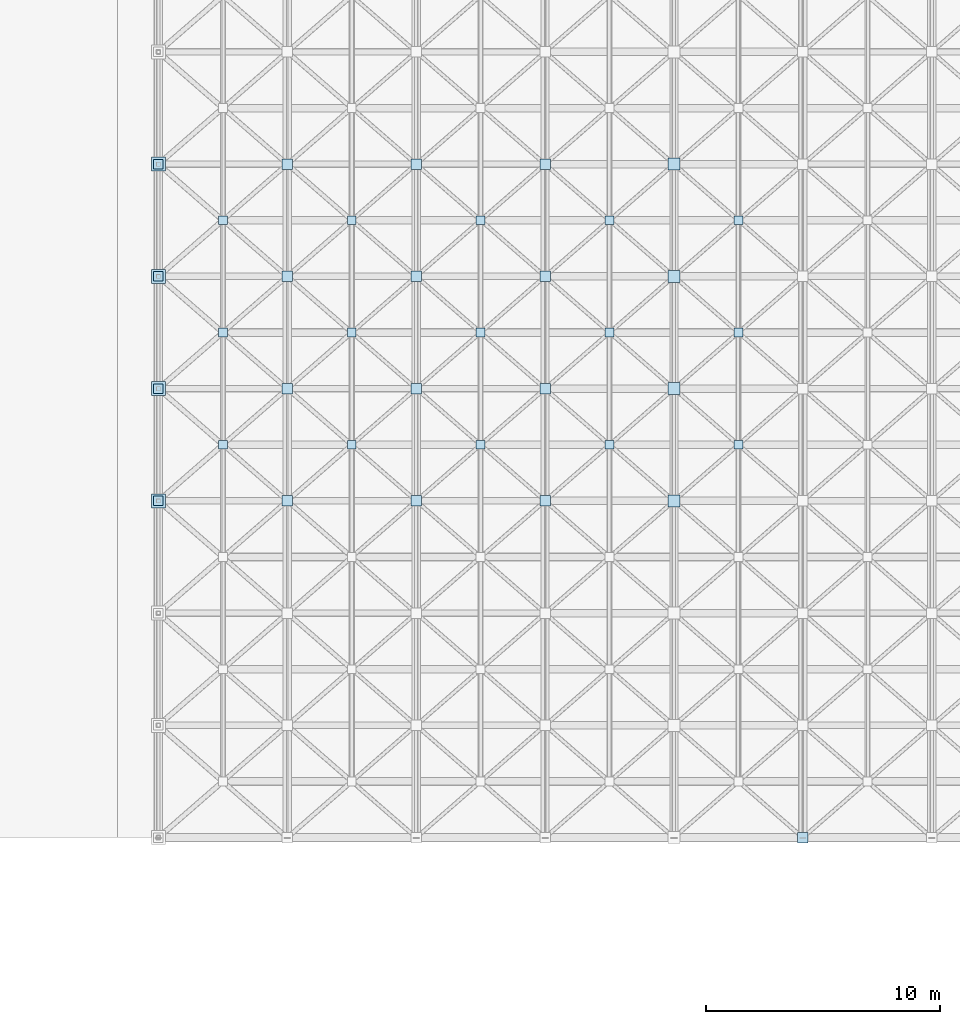
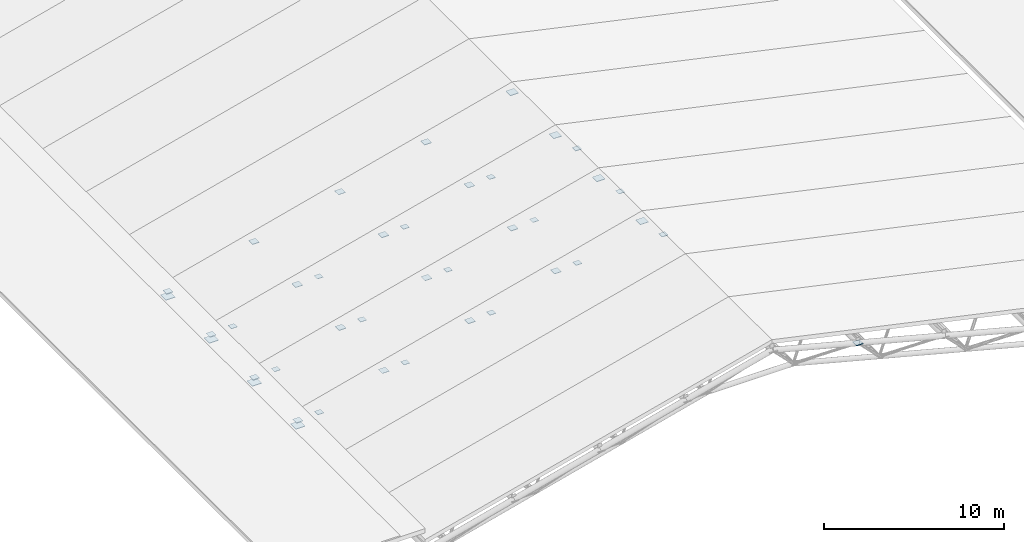
# One storey, part 45 of 60: 40 plates.
"""IFC4 building model written with IfcOpenShell, lengths in metres."""

from ifc_helpers import new_model, si_unit, direction, frame, origin, origin_2d, place, context, subcontext, project, spatial, rectangle, extrude, material, type_object, element, save


model = new_model("IFC4")

# Units and contexts
model_context = context("Model", 3, precision=1e-05, world=origin(), true_north=direction((0.0, 1.0)))
body_context = subcontext(model_context, "Body", "Model", "MODEL_VIEW")
ifc_project = project(units=[si_unit("LENGTHUNIT", "METRE"), si_unit("AREAUNIT", "SQUARE_METRE"), si_unit("VOLUMEUNIT", "CUBIC_METRE"), si_unit("PLANEANGLEUNIT", "RADIAN"), si_unit("MASSUNIT", "GRAM", prefix="KILO")], contexts=[model_context])

# Site, building, storey
site_placement = place(None, origin())
site = spatial("IfcSite", under=ifc_project, at=site_placement, CompositionType="ELEMENT")
building_placement = place(site_placement, origin())
building = spatial("IfcBuilding", under=site, at=building_placement, Name="Nakhvara Creek Congress Hotel", CompositionType="ELEMENT")
storey_placement = place(building_placement, frame((0.0, 0.0, 54.60009765625)))
storey = spatial("IfcBuildingStorey", under=building, at=storey_placement, Name="RL1", CompositionType="ELEMENT", Elevation=54.60009765625)

# Plates
ifc_material = material(Name="Steel S355J2", Category="steel")
plate_type_1 = type_object("IfcPlateType", Name="PLT-BASE-600X600X35", PredefinedType="USERDEFINED", material=ifc_material)
for number, where, z_axis, x_axis, name in (
    (1, (9.14990234375, 48.0, -35.39990234375), (0.0, 0.0, 1.0), (1.0, 0.0, 0.0), "Space-Frame Bearing Shoe SN04-028"),
    (2, (9.14990234375, 52.800048828125, -35.39990234375), (0.0, 0.0, 1.0), (1.0, 0.0, 0.0), "Space-Frame Bearing Shoe SN04-037"),
    (3, (9.14990234375, 57.60009765625, -35.39990234375), (0.0, 0.0, 1.0), (1.0, 0.0, 0.0), "Space-Frame Bearing Shoe SN04-046"),
    (4, (9.14990234375, 62.39990234375, -35.39990234375), (0.0, 0.0, 1.0), (1.0, 0.0, 0.0), "Space-Frame Bearing Shoe SN04-055"),
):
    element("IfcPlate", number, at=place(storey_placement, frame(where, z_axis=z_axis, x_axis=x_axis)), inside=storey, type_object=plate_type_1, Name=name, ObjectType="GUSSET_PLATE", PredefinedType="USERDEFINED", context=body_context, shape_type="SweptSolid", body=[
        extrude(rectangle(XDim=0.60009765625, YDim=0.60009765625, at=origin_2d()), origin(), (0.0, 0.0, 1.0), 0.034912109375),
    ])
plate_type_2 = type_object("IfcPlateType", Name="PLT-NODE-380X380X24", PredefinedType="USERDEFINED", material=ifc_material)
for number, where, z_axis, x_axis, name in (
    (5, (11.90625, 50.39990234375, -36.942138671875), (0.0, 0.0, 1.0), (1.0, 0.0, 0.0), "Congress Roof Truss Bottom Node Plate SN-133"),
    (6, (17.418701171875, 50.39990234375, -35.501953125), (0.0, 0.0, 1.0), (1.0, 0.0, 0.0), "Congress Roof Truss Bottom Node Plate SN-134"),
    (7, (22.93115234375, 50.39990234375, -34.06201171875), (0.0, 0.0, 1.0), (1.0, 0.0, 0.0), "Congress Roof Truss Bottom Node Plate SN-135"),
    (8, (28.44384765625, 50.39990234375, -32.6220703125), (0.0, 0.0, 1.0), (1.0, 0.0, 0.0), "Congress Roof Truss Bottom Node Plate SN-136"),
    (9, (33.956298828125, 50.39990234375, -32.6220703125), (0.0, 0.0, 1.0), (1.0, 0.0, 0.0), "Congress Roof Truss Bottom Node Plate SN-137"),
    (10, (11.90625, 55.199951171875, -36.942138671875), (0.0, 0.0, 1.0), (1.0, 0.0, 0.0), "Congress Roof Truss Bottom Node Plate SN-141"),
    (11, (17.418701171875, 55.199951171875, -35.501953125), (0.0, 0.0, 1.0), (1.0, 0.0, 0.0), "Congress Roof Truss Bottom Node Plate SN-142"),
    (12, (22.93115234375, 55.199951171875, -34.06201171875), (0.0, 0.0, 1.0), (1.0, 0.0, 0.0), "Congress Roof Truss Bottom Node Plate SN-143"),
    (13, (28.44384765625, 55.199951171875, -32.6220703125), (0.0, 0.0, 1.0), (1.0, 0.0, 0.0), "Congress Roof Truss Bottom Node Plate SN-144"),
    (14, (33.956298828125, 55.199951171875, -32.6220703125), (0.0, 0.0, 1.0), (1.0, 0.0, 0.0), "Congress Roof Truss Bottom Node Plate SN-145"),
    (15, (11.90625, 60.0, -36.942138671875), (0.0, 0.0, 1.0), (1.0, 0.0, 0.0), "Congress Roof Truss Bottom Node Plate SN-149"),
    (16, (17.418701171875, 60.0, -35.501953125), (0.0, 0.0, 1.0), (1.0, 0.0, 0.0), "Congress Roof Truss Bottom Node Plate SN-150"),
    (17, (22.93115234375, 60.0, -34.06201171875), (0.0, 0.0, 1.0), (1.0, 0.0, 0.0), "Congress Roof Truss Bottom Node Plate SN-151"),
    (18, (28.44384765625, 60.0, -32.6220703125), (0.0, 0.0, 1.0), (1.0, 0.0, 0.0), "Congress Roof Truss Bottom Node Plate SN-152"),
    (19, (33.956298828125, 60.0, -32.6220703125), (0.0, 0.0, 1.0), (1.0, 0.0, 0.0), "Congress Roof Truss Bottom Node Plate SN-153"),
):
    element("IfcPlate", number, at=place(storey_placement, frame(where, z_axis=z_axis, x_axis=x_axis)), inside=storey, type_object=plate_type_2, Name=name, ObjectType="GUSSET_PLATE", PredefinedType="USERDEFINED", context=body_context, shape_type="SweptSolid", body=[
        extrude(rectangle(XDim=0.3798828125, YDim=0.3798828125, at=origin_2d()), origin(), (0.0, 0.0, 1.0), 0.02392578125),
    ])
plate_type_3 = type_object("IfcPlateType", Name="PLT-NODE-410X410X26", PredefinedType="USERDEFINED", material=ifc_material)
for number, where, z_axis, x_axis, name in (
    (20, (9.14990234375, 48.0, -35.06298828125), (0.0, 0.0, 1.0), (1.0, 0.0, 0.0), "Congress Roof Truss Node Plate SN-028"),
    (21, (9.14990234375, 52.800048828125, -35.06298828125), (0.0, 0.0, 1.0), (1.0, 0.0, 0.0), "Congress Roof Truss Node Plate SN-037"),
    (22, (9.14990234375, 57.60009765625, -35.06298828125), (0.0, 0.0, 1.0), (1.0, 0.0, 0.0), "Congress Roof Truss Node Plate SN-046"),
    (23, (9.14990234375, 62.39990234375, -35.06298828125), (0.0, 0.0, 1.0), (1.0, 0.0, 0.0), "Congress Roof Truss Node Plate SN-055"),
):
    element("IfcPlate", number, at=place(storey_placement, frame(where, z_axis=z_axis, x_axis=x_axis)), inside=storey, type_object=plate_type_3, Name=name, ObjectType="GUSSET_PLATE", PredefinedType="USERDEFINED", context=body_context, shape_type="SweptSolid", body=[
        extrude(rectangle(XDim=0.409912109375, YDim=0.409912109375, at=origin_2d()), origin(), (0.0, 0.0, 1.0), 0.02587890625),
    ])
plate_type_4 = type_object("IfcPlateType", Name="PLT-NODE-450X450X28", PredefinedType="USERDEFINED", material=ifc_material)
for number, where, z_axis, x_axis, name in (
    (24, (36.71240234375, 33.60009765625, -30.744140625), (0.0, 0.0, 1.0), (1.0, 0.0, 0.0), "Congress Roof Truss Node Plate SN-006"),
    (25, (14.66259765625, 48.0, -33.6240234375), (0.0, 0.0, 1.0), (1.0, 0.0, 0.0), "Congress Roof Truss Node Plate SN-029"),
    (26, (20.175048828125, 48.0, -32.18408203125), (0.0, 0.0, 1.0), (1.0, 0.0, 0.0), "Congress Roof Truss Node Plate SN-030"),
    (27, (25.6875, 48.0, -30.744140625), (0.0, 0.0, 1.0), (1.0, 0.0, 0.0), "Congress Roof Truss Node Plate SN-031"),
    (28, (14.66259765625, 52.800048828125, -33.6240234375), (0.0, 0.0, 1.0), (1.0, 0.0, 0.0), "Congress Roof Truss Node Plate SN-038"),
    (29, (20.175048828125, 52.800048828125, -32.18408203125), (0.0, 0.0, 1.0), (1.0, 0.0, 0.0), "Congress Roof Truss Node Plate SN-039"),
    (30, (25.6875, 52.800048828125, -30.744140625), (0.0, 0.0, 1.0), (1.0, 0.0, 0.0), "Congress Roof Truss Node Plate SN-040"),
    (31, (14.66259765625, 57.60009765625, -33.6240234375), (0.0, 0.0, 1.0), (1.0, 0.0, 0.0), "Congress Roof Truss Node Plate SN-047"),
    (32, (20.175048828125, 57.60009765625, -32.18408203125), (0.0, 0.0, 1.0), (1.0, 0.0, 0.0), "Congress Roof Truss Node Plate SN-048"),
    (33, (25.6875, 57.60009765625, -30.744140625), (0.0, 0.0, 1.0), (1.0, 0.0, 0.0), "Congress Roof Truss Node Plate SN-049"),
    (34, (14.66259765625, 62.39990234375, -33.6240234375), (0.0, 0.0, 1.0), (1.0, 0.0, 0.0), "Congress Roof Truss Node Plate SN-056"),
    (35, (20.175048828125, 62.39990234375, -32.18408203125), (0.0, 0.0, 1.0), (1.0, 0.0, 0.0), "Congress Roof Truss Node Plate SN-057"),
    (36, (25.6875, 62.39990234375, -30.744140625), (0.0, 0.0, 1.0), (1.0, 0.0, 0.0), "Congress Roof Truss Node Plate SN-058"),
):
    element("IfcPlate", number, at=place(storey_placement, frame(where, z_axis=z_axis, x_axis=x_axis)), inside=storey, type_object=plate_type_4, Name=name, ObjectType="GUSSET_PLATE", PredefinedType="USERDEFINED", context=body_context, shape_type="SweptSolid", body=[
        extrude(rectangle(XDim=0.449951171875, YDim=0.449951171875, at=origin_2d()), origin(), (0.0, 0.0, 1.0), 0.028076171875),
    ])
plate_type_5 = type_object("IfcPlateType", Name="PLT-NODE-520X520X32", PredefinedType="USERDEFINED", material=ifc_material)
for number, where, z_axis, x_axis, name in (
    (37, (31.199951171875, 48.0, -29.30615234375), (0.0, 0.0, 1.0), (1.0, 0.0, 0.0), "Congress Roof Truss Node Plate SN-032"),
    (38, (31.199951171875, 52.800048828125, -29.30615234375), (0.0, 0.0, 1.0), (1.0, 0.0, 0.0), "Congress Roof Truss Node Plate SN-041"),
    (39, (31.199951171875, 57.60009765625, -29.30615234375), (0.0, 0.0, 1.0), (1.0, 0.0, 0.0), "Congress Roof Truss Node Plate SN-050"),
    (40, (31.199951171875, 62.39990234375, -29.30615234375), (0.0, 0.0, 1.0), (1.0, 0.0, 0.0), "Congress Roof Truss Node Plate SN-059"),
):
    element("IfcPlate", number, at=place(storey_placement, frame(where, z_axis=z_axis, x_axis=x_axis)), inside=storey, type_object=plate_type_5, Name=name, ObjectType="GUSSET_PLATE", PredefinedType="USERDEFINED", context=body_context, shape_type="SweptSolid", body=[
        extrude(rectangle(XDim=0.52001953125, YDim=0.52001953125, at=origin_2d()), origin(), (0.0, 0.0, 1.0), 0.031982421875),
    ])

save(model, "model.ifc")
